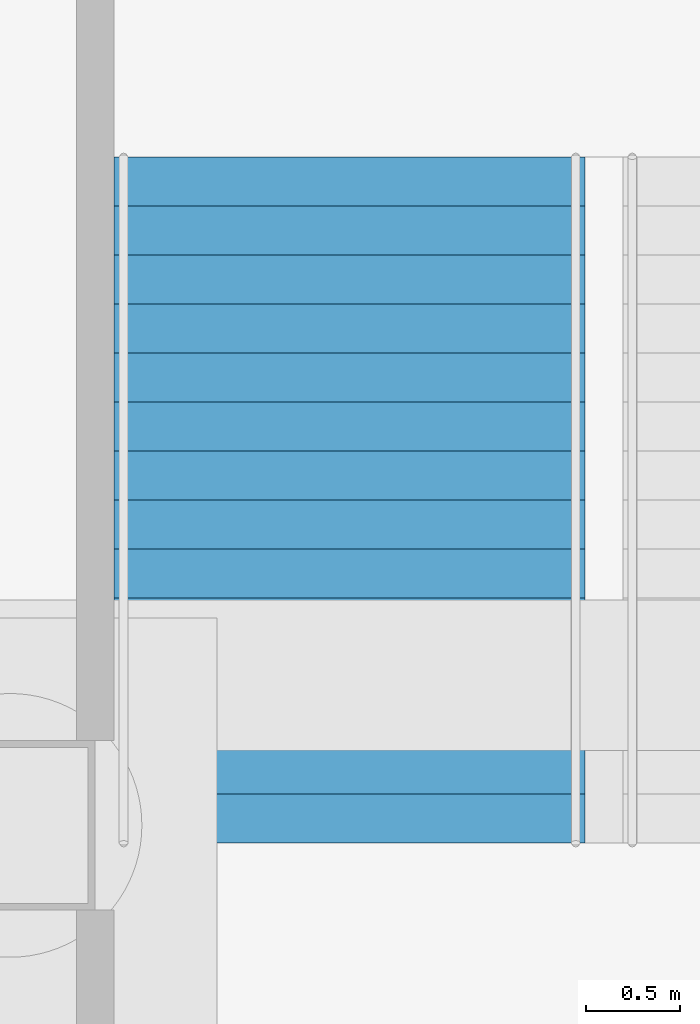
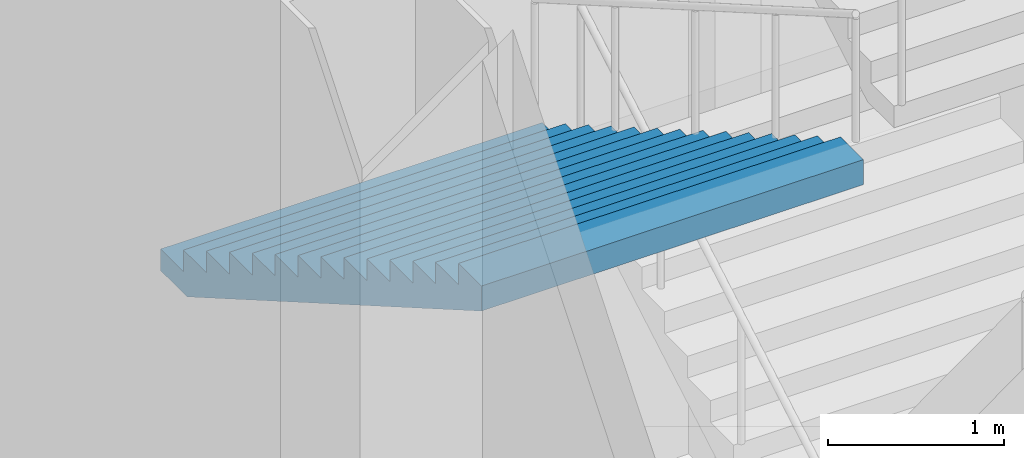
# One storey, part 65 of 113: 1 stair flight, 1 element without a shape of its own.
"""IFC4 building model written with IfcOpenShell, lengths in metres."""

from ifc_helpers import new_model, si_unit, direction, frame, origin, place, context, subcontext, project, spatial, triangles, material, type_object, element, aggregate, save


model = new_model("IFC4")

# Units and contexts
model_context = context("Model", 3, precision=1e-05, world=origin(), true_north=direction((0.0, 1.0)))
body_context = subcontext(model_context, "Body", "Model", "MODEL_VIEW")
ifc_project = project(units=[si_unit("LENGTHUNIT", "METRE"), si_unit("AREAUNIT", "SQUARE_METRE"), si_unit("VOLUMEUNIT", "CUBIC_METRE"), si_unit("PLANEANGLEUNIT", "RADIAN"), si_unit("MASSUNIT", "GRAM", prefix="KILO")], contexts=[model_context])

# Site, building, storey
site_placement = place(None, origin())
site = spatial("IfcSite", under=ifc_project, at=site_placement, CompositionType="ELEMENT")
building_placement = place(site_placement, origin())
building = spatial("IfcBuilding", under=site, at=building_placement, Name="Hakoniwa Tower and Hamabe Station Hall", CompositionType="ELEMENT")
storey_placement = place(building_placement, origin())
storey = spatial("IfcBuildingStorey", under=building, at=storey_placement, Name="L01", CompositionType="ELEMENT", Elevation=0.0)

# Stair, stair flight
ifc_material_1 = material(Name="Concrete C40", Category="concrete")
stair_type = type_object("IfcStairType", Name="STAIR 2500 15X150", PredefinedType="HALF_TURN_STAIR", material=ifc_material_1)
stair_placement = place(storey_placement, origin())
stair = element("IfcStair", 1, at=stair_placement, inside=storey, type_object=stair_type, Name="Escape stair PS1", PredefinedType="HALF_TURN_STAIR")
ifc_material_2 = material(Name="Concrete C40", Category="concrete")
stair_flight_type = type_object("IfcStairFlightType", Name="STAIR FLIGHT 2500", PredefinedType="STRAIGHT", material=ifc_material_2)
stair_flight_placement = place(storey_placement, frame((-47.800048828125, 22.35009765625, 4.5), z_axis=(0.0, 0.0, 1.0), x_axis=(0.0, -1.0, 0.0)))
stair_flight = element("IfcStairFlight", 2, at=stair_flight_placement, type_object=stair_flight_type, Name="PS1 flight 3", NumberOfRisers=15, NumberOfTreads=14, PredefinedType="STRAIGHT", RiserHeight=0.15, TreadLength=0.26, context=body_context, shape_type="Tessellation", body=[
    triangles([(0.0, 1.25, 0.0), (0.260009765625, 1.25, 0.0), (0.300048828125, 1.25, 0.0), (0.52001953125, 1.25, 0.126953125), (0.780029296875, 1.25, 0.27685546875), (1.0400390625, 1.25, 0.427001953125), (1.300048828125, 1.25, 0.576904296875), (1.56005859375, 1.25, 0.72705078125), (1.820068359375, 1.25, 0.876953125), (2.080078125, 1.25, 1.02685546875), (2.340087890625, 1.25, 1.177001953125), (2.60009765625, 1.25, 1.326904296875), (2.860107421875, 1.25, 1.47705078125), (3.1201171875, 1.25, 1.626953125), (3.3798828125, 1.25, 1.77685546875), (3.639892578125, 1.25, 1.927001953125), (3.639892578125, 1.25, 2.10009765625), (3.3798828125, 1.25, 2.10009765625), (3.3798828125, 1.25, 1.949951171875), (3.1201171875, 1.25, 1.949951171875), (3.1201171875, 1.25, 1.800048828125), (2.860107421875, 1.25, 1.800048828125), (2.860107421875, 1.25, 1.64990234375), (2.60009765625, 1.25, 1.64990234375), (2.60009765625, 1.25, 1.5), (2.340087890625, 1.25, 1.5), (2.340087890625, 1.25, 1.35009765625), (2.080078125, 1.25, 1.35009765625), (2.080078125, 1.25, 1.199951171875), (1.820068359375, 1.25, 1.199951171875), (1.820068359375, 1.25, 1.050048828125), (1.56005859375, 1.25, 1.050048828125), (1.56005859375, 1.25, 0.89990234375), (1.300048828125, 1.25, 0.89990234375), (1.300048828125, 1.25, 0.75), (1.0400390625, 1.25, 0.75), (1.0400390625, 1.25, 0.60009765625), (0.780029296875, 1.25, 0.60009765625), (0.780029296875, 1.25, 0.449951171875), (0.52001953125, 1.25, 0.449951171875), (0.52001953125, 1.25, 0.300048828125), (0.300048828125, 1.25, 0.300048828125), (0.260009765625, 1.25, 0.300048828125), (0.260009765625, 1.25, 0.14990234375), (0.0, 1.25, 0.14990234375), (0.0, 0.06005859375, 0.0), (0.260009765625, 0.06005859375, 0.0), (0.300048828125, 0.06005859375, 0.0), (0.52001953125, 0.06005859375, 0.126953125), (0.780029296875, 0.06005859375, 0.27685546875), (1.0400390625, 0.06005859375, 0.427001953125), (1.300048828125, 0.06005859375, 0.576904296875), (1.56005859375, 0.06005859375, 0.72705078125), (1.820068359375, 0.06005859375, 0.876953125), (2.080078125, 0.06005859375, 1.02685546875), (2.340087890625, 0.06005859375, 1.177001953125), (2.60009765625, 0.06005859375, 1.326904296875), (2.860107421875, 0.06005859375, 1.47705078125), (3.1201171875, 0.06005859375, 1.626953125), (3.3798828125, 0.06005859375, 1.77685546875), (3.639892578125, 0.06005859375, 1.927001953125), (3.639892578125, 0.06005859375, 2.10009765625), (3.3798828125, 0.06005859375, 2.10009765625), (3.3798828125, 0.06005859375, 1.949951171875), (3.1201171875, 0.06005859375, 1.949951171875), (3.1201171875, 0.06005859375, 1.800048828125), (2.860107421875, 0.06005859375, 1.800048828125), (2.860107421875, 0.06005859375, 1.64990234375), (2.60009765625, 0.06005859375, 1.64990234375), (2.60009765625, 0.06005859375, 1.5), (2.340087890625, 0.06005859375, 1.5), (2.340087890625, 0.06005859375, 1.35009765625), (2.080078125, 0.06005859375, 1.35009765625), (2.080078125, 0.06005859375, 1.199951171875), (1.820068359375, 0.06005859375, 1.199951171875), (1.820068359375, 0.06005859375, 1.050048828125), (1.56005859375, 0.06005859375, 1.050048828125), (1.56005859375, 0.06005859375, 0.89990234375), (1.300048828125, 0.06005859375, 0.89990234375), (1.300048828125, 0.06005859375, 0.75), (1.0400390625, 0.06005859375, 0.75), (1.0400390625, 0.06005859375, 0.60009765625), (0.780029296875, 0.06005859375, 0.60009765625), (0.780029296875, 0.06005859375, 0.449951171875), (0.52001953125, 0.06005859375, 0.449951171875), (0.52001953125, 0.06005859375, 0.300048828125), (0.300048828125, 0.06005859375, 0.300048828125), (0.260009765625, 0.06005859375, 0.300048828125), (0.260009765625, 0.06005859375, 0.14990234375), (0.0, 0.06005859375, 0.14990234375), (0.0, 0.02001953125, 0.0), (0.260009765625, 0.02001953125, 0.0), (0.300048828125, 0.02001953125, 0.0), (0.52001953125, 0.02001953125, 0.126953125), (0.780029296875, 0.02001953125, 0.27685546875), (1.0400390625, 0.02001953125, 0.427001953125), (1.300048828125, 0.02001953125, 0.576904296875), (1.56005859375, 0.02001953125, 0.72705078125), (1.820068359375, 0.02001953125, 0.876953125), (2.080078125, 0.02001953125, 1.02685546875), (2.340087890625, 0.02001953125, 1.177001953125), (2.60009765625, 0.02001953125, 1.326904296875), (2.860107421875, 0.02001953125, 1.47705078125), (3.1201171875, 0.02001953125, 1.626953125), (3.3798828125, 0.02001953125, 1.77685546875), (3.639892578125, 0.02001953125, 1.927001953125), (3.639892578125, 0.02001953125, 2.10009765625), (3.3798828125, 0.02001953125, 2.10009765625), (3.3798828125, 0.02001953125, 1.949951171875), (3.1201171875, 0.02001953125, 1.949951171875), (3.1201171875, 0.02001953125, 1.800048828125), (2.860107421875, 0.02001953125, 1.800048828125), (2.860107421875, 0.02001953125, 1.64990234375), (2.60009765625, 0.02001953125, 1.64990234375), (2.60009765625, 0.02001953125, 1.5), (2.340087890625, 0.02001953125, 1.5), (2.340087890625, 0.02001953125, 1.35009765625), (2.080078125, 0.02001953125, 1.35009765625), (2.080078125, 0.02001953125, 1.199951171875), (1.820068359375, 0.02001953125, 1.199951171875), (1.820068359375, 0.02001953125, 1.050048828125), (1.56005859375, 0.02001953125, 1.050048828125), (1.56005859375, 0.02001953125, 0.89990234375), (1.300048828125, 0.02001953125, 0.89990234375), (1.300048828125, 0.02001953125, 0.75), (1.0400390625, 0.02001953125, 0.75), (1.0400390625, 0.02001953125, 0.60009765625), (0.780029296875, 0.02001953125, 0.60009765625), (0.780029296875, 0.02001953125, 0.449951171875), (0.52001953125, 0.02001953125, 0.449951171875), (0.52001953125, 0.02001953125, 0.300048828125), (0.300048828125, 0.02001953125, 0.300048828125), (0.260009765625, 0.02001953125, 0.300048828125), (0.260009765625, 0.02001953125, 0.14990234375), (0.0, 0.02001953125, 0.14990234375), (0.0, -0.02001953125, 0.0), (0.260009765625, -0.02001953125, 0.0), (0.300048828125, -0.02001953125, 0.0), (0.52001953125, -0.02001953125, 0.126953125), (0.780029296875, -0.02001953125, 0.27685546875), (1.0400390625, -0.02001953125, 0.427001953125), (1.300048828125, -0.02001953125, 0.576904296875), (1.56005859375, -0.02001953125, 0.72705078125), (1.820068359375, -0.02001953125, 0.876953125), (2.080078125, -0.02001953125, 1.02685546875), (2.340087890625, -0.02001953125, 1.177001953125), (2.60009765625, -0.02001953125, 1.326904296875), (2.860107421875, -0.02001953125, 1.47705078125), (3.1201171875, -0.02001953125, 1.626953125), (3.3798828125, -0.02001953125, 1.77685546875), (3.639892578125, -0.02001953125, 1.927001953125), (3.639892578125, -0.02001953125, 2.10009765625), (3.3798828125, -0.02001953125, 2.10009765625), (3.3798828125, -0.02001953125, 1.949951171875), (3.1201171875, -0.02001953125, 1.949951171875), (3.1201171875, -0.02001953125, 1.800048828125), (2.860107421875, -0.02001953125, 1.800048828125), (2.860107421875, -0.02001953125, 1.64990234375), (2.60009765625, -0.02001953125, 1.64990234375), (2.60009765625, -0.02001953125, 1.5), (2.340087890625, -0.02001953125, 1.5), (2.340087890625, -0.02001953125, 1.35009765625), (2.080078125, -0.02001953125, 1.35009765625), (2.080078125, -0.02001953125, 1.199951171875), (1.820068359375, -0.02001953125, 1.199951171875), (1.820068359375, -0.02001953125, 1.050048828125), (1.56005859375, -0.02001953125, 1.050048828125), (1.56005859375, -0.02001953125, 0.89990234375), (1.300048828125, -0.02001953125, 0.89990234375), (1.300048828125, -0.02001953125, 0.75), (1.0400390625, -0.02001953125, 0.75), (1.0400390625, -0.02001953125, 0.60009765625), (0.780029296875, -0.02001953125, 0.60009765625), (0.780029296875, -0.02001953125, 0.449951171875), (0.52001953125, -0.02001953125, 0.449951171875), (0.52001953125, -0.02001953125, 0.300048828125), (0.300048828125, -0.02001953125, 0.300048828125), (0.260009765625, -0.02001953125, 0.300048828125), (0.260009765625, -0.02001953125, 0.14990234375), (0.0, -0.02001953125, 0.14990234375), (0.0, -0.06005859375, 0.0), (0.260009765625, -0.06005859375, 0.0), (0.300048828125, -0.06005859375, 0.0), (0.52001953125, -0.06005859375, 0.126953125), (0.780029296875, -0.06005859375, 0.27685546875), (1.0400390625, -0.06005859375, 0.427001953125), (1.300048828125, -0.06005859375, 0.576904296875), (1.56005859375, -0.06005859375, 0.72705078125), (1.820068359375, -0.06005859375, 0.876953125), (2.080078125, -0.06005859375, 1.02685546875), (2.340087890625, -0.06005859375, 1.177001953125), (2.60009765625, -0.06005859375, 1.326904296875), (2.860107421875, -0.06005859375, 1.47705078125), (3.1201171875, -0.06005859375, 1.626953125), (3.3798828125, -0.06005859375, 1.77685546875), (3.639892578125, -0.06005859375, 1.927001953125), (3.639892578125, -0.06005859375, 2.10009765625), (3.3798828125, -0.06005859375, 2.10009765625), (3.3798828125, -0.06005859375, 1.949951171875), (3.1201171875, -0.06005859375, 1.949951171875), (3.1201171875, -0.06005859375, 1.800048828125), (2.860107421875, -0.06005859375, 1.800048828125), (2.860107421875, -0.06005859375, 1.64990234375), (2.60009765625, -0.06005859375, 1.64990234375), (2.60009765625, -0.06005859375, 1.5), (2.340087890625, -0.06005859375, 1.5), (2.340087890625, -0.06005859375, 1.35009765625), (2.080078125, -0.06005859375, 1.35009765625), (2.080078125, -0.06005859375, 1.199951171875), (1.820068359375, -0.06005859375, 1.199951171875), (1.820068359375, -0.06005859375, 1.050048828125), (1.56005859375, -0.06005859375, 1.050048828125), (1.56005859375, -0.06005859375, 0.89990234375), (1.300048828125, -0.06005859375, 0.89990234375), (1.300048828125, -0.06005859375, 0.75), (1.0400390625, -0.06005859375, 0.75), (1.0400390625, -0.06005859375, 0.60009765625), (0.780029296875, -0.06005859375, 0.60009765625), (0.780029296875, -0.06005859375, 0.449951171875), (0.52001953125, -0.06005859375, 0.449951171875), (0.52001953125, -0.06005859375, 0.300048828125), (0.300048828125, -0.06005859375, 0.300048828125), (0.260009765625, -0.06005859375, 0.300048828125), (0.260009765625, -0.06005859375, 0.14990234375), (0.0, -0.06005859375, 0.14990234375), (0.0, -1.25, 0.0), (0.260009765625, -1.25, 0.0), (0.300048828125, -1.25, 0.0), (0.52001953125, -1.25, 0.126953125), (0.780029296875, -1.25, 0.27685546875), (1.0400390625, -1.25, 0.427001953125), (1.300048828125, -1.25, 0.576904296875), (1.56005859375, -1.25, 0.72705078125), (1.820068359375, -1.25, 0.876953125), (2.080078125, -1.25, 1.02685546875), (2.340087890625, -1.25, 1.177001953125), (2.60009765625, -1.25, 1.326904296875), (2.860107421875, -1.25, 1.47705078125), (3.1201171875, -1.25, 1.626953125), (3.3798828125, -1.25, 1.77685546875), (3.639892578125, -1.25, 1.927001953125), (3.639892578125, -1.25, 2.10009765625), (3.3798828125, -1.25, 2.10009765625), (3.3798828125, -1.25, 1.949951171875), (3.1201171875, -1.25, 1.949951171875), (3.1201171875, -1.25, 1.800048828125), (2.860107421875, -1.25, 1.800048828125), (2.860107421875, -1.25, 1.64990234375), (2.60009765625, -1.25, 1.64990234375), (2.60009765625, -1.25, 1.5), (2.340087890625, -1.25, 1.5), (2.340087890625, -1.25, 1.35009765625), (2.080078125, -1.25, 1.35009765625), (2.080078125, -1.25, 1.199951171875), (1.820068359375, -1.25, 1.199951171875), (1.820068359375, -1.25, 1.050048828125), (1.56005859375, -1.25, 1.050048828125), (1.56005859375, -1.25, 0.89990234375), (1.300048828125, -1.25, 0.89990234375), (1.300048828125, -1.25, 0.75), (1.0400390625, -1.25, 0.75), (1.0400390625, -1.25, 0.60009765625), (0.780029296875, -1.25, 0.60009765625), (0.780029296875, -1.25, 0.449951171875), (0.52001953125, -1.25, 0.449951171875), (0.52001953125, -1.25, 0.300048828125), (0.300048828125, -1.25, 0.300048828125), (0.260009765625, -1.25, 0.300048828125), (0.260009765625, -1.25, 0.14990234375), (0.0, -1.25, 0.14990234375)], [[2, 45, 44], [227, 269, 270], [2, 1, 45], [227, 270, 226], [3, 43, 42], [228, 267, 268], [3, 44, 43], [228, 268, 269], [3, 2, 44], [228, 269, 227], [4, 42, 41], [229, 266, 267], [4, 3, 42], [229, 267, 228], [5, 40, 39], [230, 264, 265], [5, 41, 40], [230, 265, 266], [5, 4, 41], [230, 266, 229], [6, 38, 37], [231, 262, 263], [6, 39, 38], [231, 263, 264], [6, 5, 39], [231, 264, 230], [7, 36, 35], [232, 260, 261], [7, 37, 36], [232, 261, 262], [7, 6, 37], [232, 262, 231], [8, 34, 33], [233, 258, 259], [8, 35, 34], [233, 259, 260], [8, 7, 35], [233, 260, 232], [9, 32, 31], [234, 256, 257], [9, 33, 32], [234, 257, 258], [9, 8, 33], [234, 258, 233], [10, 30, 29], [235, 254, 255], [10, 31, 30], [235, 255, 256], [10, 9, 31], [235, 256, 234], [11, 28, 27], [236, 252, 253], [11, 29, 28], [236, 253, 254], [11, 10, 29], [236, 254, 235], [12, 26, 25], [237, 250, 251], [12, 27, 26], [237, 251, 252], [12, 11, 27], [237, 252, 236], [13, 24, 23], [238, 248, 249], [13, 25, 24], [238, 249, 250], [13, 12, 25], [238, 250, 237], [14, 22, 21], [239, 246, 247], [14, 23, 22], [239, 247, 248], [14, 13, 23], [239, 248, 238], [15, 20, 19], [240, 244, 245], [15, 21, 20], [240, 245, 246], [15, 14, 21], [240, 246, 239], [16, 18, 17], [241, 242, 243], [16, 19, 18], [241, 243, 244], [16, 15, 19], [241, 244, 240], [1, 2, 47], [1, 47, 46], [46, 47, 92], [46, 92, 91], [91, 92, 137], [91, 137, 136], [136, 137, 182], [136, 182, 181], [181, 182, 227], [181, 227, 226], [2, 3, 48], [2, 48, 47], [47, 48, 93], [47, 93, 92], [92, 93, 138], [92, 138, 137], [137, 138, 183], [137, 183, 182], [182, 183, 228], [182, 228, 227], [3, 4, 49], [3, 49, 48], [48, 49, 94], [48, 94, 93], [93, 94, 139], [93, 139, 138], [138, 139, 184], [138, 184, 183], [183, 184, 229], [183, 229, 228], [4, 5, 50], [4, 50, 49], [49, 50, 95], [49, 95, 94], [94, 95, 140], [94, 140, 139], [139, 140, 185], [139, 185, 184], [184, 185, 230], [184, 230, 229], [5, 6, 51], [5, 51, 50], [50, 51, 96], [50, 96, 95], [95, 96, 141], [95, 141, 140], [140, 141, 186], [140, 186, 185], [185, 186, 231], [185, 231, 230], [6, 7, 52], [6, 52, 51], [51, 52, 97], [51, 97, 96], [96, 97, 142], [96, 142, 141], [141, 142, 187], [141, 187, 186], [186, 187, 232], [186, 232, 231], [7, 8, 53], [7, 53, 52], [52, 53, 98], [52, 98, 97], [97, 98, 143], [97, 143, 142], [142, 143, 188], [142, 188, 187], [187, 188, 233], [187, 233, 232], [8, 9, 54], [8, 54, 53], [53, 54, 99], [53, 99, 98], [98, 99, 144], [98, 144, 143], [143, 144, 189], [143, 189, 188], [188, 189, 234], [188, 234, 233], [9, 10, 55], [9, 55, 54], [54, 55, 100], [54, 100, 99], [99, 100, 145], [99, 145, 144], [144, 145, 190], [144, 190, 189], [189, 190, 235], [189, 235, 234], [10, 11, 56], [10, 56, 55], [55, 56, 101], [55, 101, 100], [100, 101, 146], [100, 146, 145], [145, 146, 191], [145, 191, 190], [190, 191, 236], [190, 236, 235], [11, 12, 57], [11, 57, 56], [56, 57, 102], [56, 102, 101], [101, 102, 147], [101, 147, 146], [146, 147, 192], [146, 192, 191], [191, 192, 237], [191, 237, 236], [12, 13, 58], [12, 58, 57], [57, 58, 103], [57, 103, 102], [102, 103, 148], [102, 148, 147], [147, 148, 193], [147, 193, 192], [192, 193, 238], [192, 238, 237], [13, 14, 59], [13, 59, 58], [58, 59, 104], [58, 104, 103], [103, 104, 149], [103, 149, 148], [148, 149, 194], [148, 194, 193], [193, 194, 239], [193, 239, 238], [14, 15, 60], [14, 60, 59], [59, 60, 105], [59, 105, 104], [104, 105, 150], [104, 150, 149], [149, 150, 195], [149, 195, 194], [194, 195, 240], [194, 240, 239], [15, 16, 61], [15, 61, 60], [60, 61, 106], [60, 106, 105], [105, 106, 151], [105, 151, 150], [150, 151, 196], [150, 196, 195], [195, 196, 241], [195, 241, 240], [16, 17, 62], [16, 62, 61], [61, 62, 107], [61, 107, 106], [106, 107, 152], [106, 152, 151], [151, 152, 197], [151, 197, 196], [196, 197, 242], [196, 242, 241], [17, 18, 63], [17, 63, 62], [62, 63, 108], [62, 108, 107], [107, 108, 153], [107, 153, 152], [152, 153, 198], [152, 198, 197], [197, 198, 243], [197, 243, 242], [18, 19, 64], [18, 64, 63], [63, 64, 109], [63, 109, 108], [108, 109, 154], [108, 154, 153], [153, 154, 199], [153, 199, 198], [198, 199, 244], [198, 244, 243], [19, 20, 65], [19, 65, 64], [64, 65, 110], [64, 110, 109], [109, 110, 155], [109, 155, 154], [154, 155, 200], [154, 200, 199], [199, 200, 245], [199, 245, 244], [20, 21, 66], [20, 66, 65], [65, 66, 111], [65, 111, 110], [110, 111, 156], [110, 156, 155], [155, 156, 201], [155, 201, 200], [200, 201, 246], [200, 246, 245], [21, 22, 67], [21, 67, 66], [66, 67, 112], [66, 112, 111], [111, 112, 157], [111, 157, 156], [156, 157, 202], [156, 202, 201], [201, 202, 247], [201, 247, 246], [22, 23, 68], [22, 68, 67], [67, 68, 113], [67, 113, 112], [112, 113, 158], [112, 158, 157], [157, 158, 203], [157, 203, 202], [202, 203, 248], [202, 248, 247], [23, 24, 69], [23, 69, 68], [68, 69, 114], [68, 114, 113], [113, 114, 159], [113, 159, 158], [158, 159, 204], [158, 204, 203], [203, 204, 249], [203, 249, 248], [24, 25, 70], [24, 70, 69], [69, 70, 115], [69, 115, 114], [114, 115, 160], [114, 160, 159], [159, 160, 205], [159, 205, 204], [204, 205, 250], [204, 250, 249], [25, 26, 71], [25, 71, 70], [70, 71, 116], [70, 116, 115], [115, 116, 161], [115, 161, 160], [160, 161, 206], [160, 206, 205], [205, 206, 251], [205, 251, 250], [26, 27, 72], [26, 72, 71], [71, 72, 117], [71, 117, 116], [116, 117, 162], [116, 162, 161], [161, 162, 207], [161, 207, 206], [206, 207, 252], [206, 252, 251], [27, 28, 73], [27, 73, 72], [72, 73, 118], [72, 118, 117], [117, 118, 163], [117, 163, 162], [162, 163, 208], [162, 208, 207], [207, 208, 253], [207, 253, 252], [28, 29, 74], [28, 74, 73], [73, 74, 119], [73, 119, 118], [118, 119, 164], [118, 164, 163], [163, 164, 209], [163, 209, 208], [208, 209, 254], [208, 254, 253], [29, 30, 75], [29, 75, 74], [74, 75, 120], [74, 120, 119], [119, 120, 165], [119, 165, 164], [164, 165, 210], [164, 210, 209], [209, 210, 255], [209, 255, 254], [30, 31, 76], [30, 76, 75], [75, 76, 121], [75, 121, 120], [120, 121, 166], [120, 166, 165], [165, 166, 211], [165, 211, 210], [210, 211, 256], [210, 256, 255], [31, 32, 77], [31, 77, 76], [76, 77, 122], [76, 122, 121], [121, 122, 167], [121, 167, 166], [166, 167, 212], [166, 212, 211], [211, 212, 257], [211, 257, 256], [32, 33, 78], [32, 78, 77], [77, 78, 123], [77, 123, 122], [122, 123, 168], [122, 168, 167], [167, 168, 213], [167, 213, 212], [212, 213, 258], [212, 258, 257], [33, 34, 79], [33, 79, 78], [78, 79, 124], [78, 124, 123], [123, 124, 169], [123, 169, 168], [168, 169, 214], [168, 214, 213], [213, 214, 259], [213, 259, 258], [34, 35, 80], [34, 80, 79], [79, 80, 125], [79, 125, 124], [124, 125, 170], [124, 170, 169], [169, 170, 215], [169, 215, 214], [214, 215, 260], [214, 260, 259], [35, 36, 81], [35, 81, 80], [80, 81, 126], [80, 126, 125], [125, 126, 171], [125, 171, 170], [170, 171, 216], [170, 216, 215], [215, 216, 261], [215, 261, 260], [36, 37, 82], [36, 82, 81], [81, 82, 127], [81, 127, 126], [126, 127, 172], [126, 172, 171], [171, 172, 217], [171, 217, 216], [216, 217, 262], [216, 262, 261], [37, 38, 83], [37, 83, 82], [82, 83, 128], [82, 128, 127], [127, 128, 173], [127, 173, 172], [172, 173, 218], [172, 218, 217], [217, 218, 263], [217, 263, 262], [38, 39, 84], [38, 84, 83], [83, 84, 129], [83, 129, 128], [128, 129, 174], [128, 174, 173], [173, 174, 219], [173, 219, 218], [218, 219, 264], [218, 264, 263], [39, 40, 85], [39, 85, 84], [84, 85, 130], [84, 130, 129], [129, 130, 175], [129, 175, 174], [174, 175, 220], [174, 220, 219], [219, 220, 265], [219, 265, 264], [40, 41, 86], [40, 86, 85], [85, 86, 131], [85, 131, 130], [130, 131, 176], [130, 176, 175], [175, 176, 221], [175, 221, 220], [220, 221, 266], [220, 266, 265], [41, 42, 87], [41, 87, 86], [86, 87, 132], [86, 132, 131], [131, 132, 177], [131, 177, 176], [176, 177, 222], [176, 222, 221], [221, 222, 267], [221, 267, 266], [42, 43, 88], [42, 88, 87], [87, 88, 133], [87, 133, 132], [132, 133, 178], [132, 178, 177], [177, 178, 223], [177, 223, 222], [222, 223, 268], [222, 268, 267], [43, 44, 89], [43, 89, 88], [88, 89, 134], [88, 134, 133], [133, 134, 179], [133, 179, 178], [178, 179, 224], [178, 224, 223], [223, 224, 269], [223, 269, 268], [44, 45, 90], [44, 90, 89], [89, 90, 135], [89, 135, 134], [134, 135, 180], [134, 180, 179], [179, 180, 225], [179, 225, 224], [224, 225, 270], [224, 270, 269], [45, 1, 46], [45, 46, 90], [90, 46, 91], [90, 91, 135], [135, 91, 136], [135, 136, 180], [180, 136, 181], [180, 181, 225], [225, 181, 226], [225, 226, 270]], closed=True),
])
aggregate(stair, [stair_flight])

save(model, "model.ifc")
